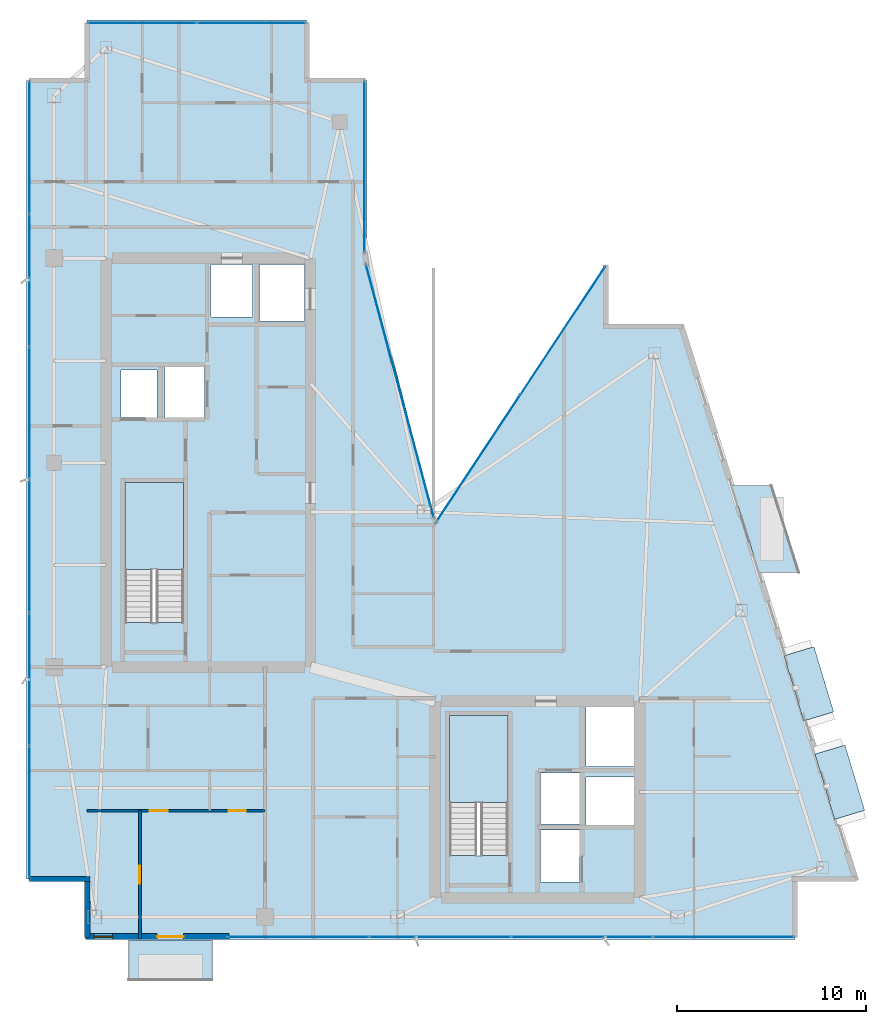
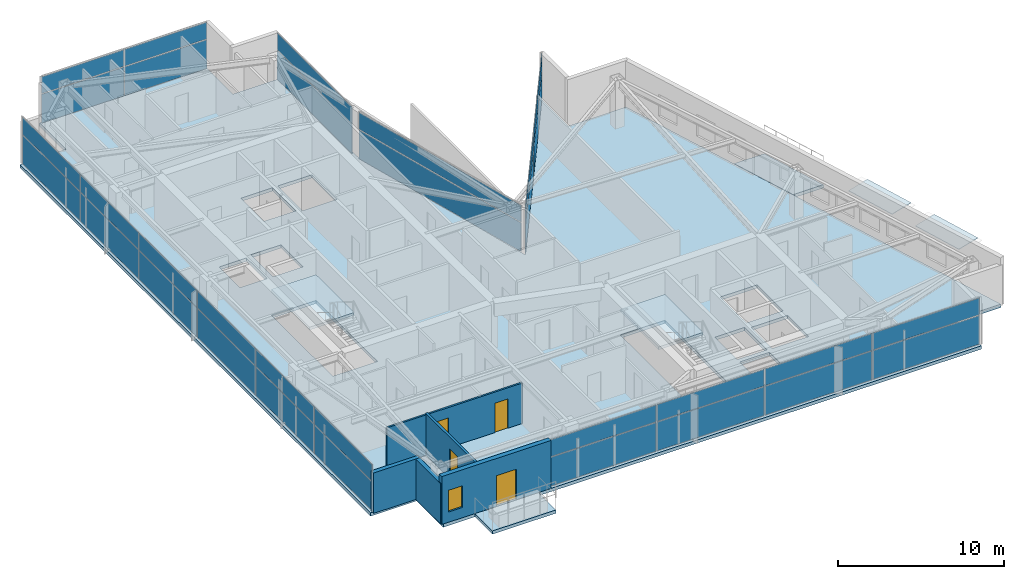
# One storey, part 21 of 27: 34 plates, 5 slabs, 5 walls, 4 doors, 1 window, 5 openings, 8 elements without a shape of their own.
"""IFC4 building model written with IfcOpenShell, lengths in metres."""

from ifc_helpers import new_model, si_unit, direction, frame, frame_2d, origin, origin_2d, place, context, subcontext, project, spatial, polyline, rectangle, outline, extrude, material, layer, layer_set, type_object, element, fill, aggregate, save


model = new_model("IFC4")

# Units and contexts
model_context = context("Model", 3, precision=1e-05, world=origin(), true_north=direction((0.0, 1.0)))
body_context = subcontext(model_context, "Body", "Model", "MODEL_VIEW")
ifc_project = project(units=[si_unit("LENGTHUNIT", "METRE"), si_unit("AREAUNIT", "SQUARE_METRE"), si_unit("VOLUMEUNIT", "CUBIC_METRE"), si_unit("PLANEANGLEUNIT", "RADIAN"), si_unit("MASSUNIT", "GRAM", prefix="KILO")], contexts=[model_context])

# Site, building, storey
site_placement = place(None, origin())
site = spatial("IfcSite", under=ifc_project, at=site_placement, CompositionType="ELEMENT")
building_placement = place(site_placement, origin())
building = spatial("IfcBuilding", under=site, at=building_placement, Name="Calvorn Quay Hotel", CompositionType="ELEMENT")
storey_placement = place(building_placement, frame((0.0, 0.0, 278.699951171875)))
storey = spatial("IfcBuildingStorey", under=building, at=storey_placement, Name="L69", CompositionType="ELEMENT", Elevation=278.699951171875)

# Curtain wall, plates
ifc_material_1 = material(Name="Champagne Bronze Anodised Aluminium and Low-E Glass", Category="aluminium")
ifc_layer_1 = layer(ifc_material_1, 0.219970703125)
ifc_layer_set_1 = layer_set([ifc_layer_1], Name="CW-SYS-Z4")
curtain_wall_type = type_object("IfcCurtainWallType", Name="CW-SYS-Z4", PredefinedType="NOTDEFINED", material=ifc_layer_set_1)
curtain_wall_1_placement = place(storey_placement, origin())
curtain_wall_1 = element("IfcCurtainWall", 1, at=curtain_wall_1_placement, inside=storey, type_object=curtain_wall_type, Name="Tower West Curtain Wall (L69)", PredefinedType="NOTDEFINED")
ifc_material_2 = material(Name="Low-E Laminated Double Glazing", Category="glass")
ifc_layer_2 = layer(ifc_material_2, 0.028076171875)
ifc_layer_set_2 = layer_set([ifc_layer_2], Name="CW-SYS-Z4-PAN")
plate_type_1 = type_object("IfcPlateType", Name="CW-SYS-Z4-PAN", PredefinedType="CURTAIN_PANEL", material=ifc_layer_set_2)
plate_1_placement = place(storey_placement, frame((0.14990234375, 9.131591796875, 0.06005859375), z_axis=(0.0, 0.0, 1.0), x_axis=(0.0, 1.0, 0.0)))
plate_1 = element("IfcPlate", 2, at=plate_1_placement, type_object=plate_type_1, Name="CW-L69-W panel 1.1", PredefinedType="CURTAIN_PANEL", context=body_context, shape_type="SweptSolid", body=[
    extrude(rectangle(XDim=6.943359375, YDim=0.028076171875, at=origin_2d()), origin(), (0.0, 0.0, 1.0), 2.110107421875),
])
plate_2_placement = place(storey_placement, frame((0.14990234375, 9.131591796875, 2.22998046875), z_axis=(0.0, 0.0, 1.0), x_axis=(0.0, 1.0, 0.0)))
plate_2 = element("IfcPlate", 3, at=plate_2_placement, type_object=plate_type_1, Name="CW-L69-W panel 1.2", PredefinedType="CURTAIN_PANEL", context=body_context, shape_type="SweptSolid", body=[
    extrude(rectangle(XDim=6.943359375, YDim=0.028076171875, at=origin_2d()), origin(), (0.0, 0.0, 1.0), 1.22998046875),
])
plate_3_placement = place(storey_placement, frame((0.14990234375, 16.14990234375, 0.06005859375), z_axis=(0.0, 0.0, 1.0), x_axis=(0.0, 1.0, 0.0)))
plate_3 = element("IfcPlate", 4, at=plate_3_placement, type_object=plate_type_1, Name="CW-L69-W panel 2.1", PredefinedType="CURTAIN_PANEL", context=body_context, shape_type="SweptSolid", body=[
    extrude(rectangle(XDim=6.973388671875, YDim=0.028076171875, at=origin_2d()), origin(), (0.0, 0.0, 1.0), 2.110107421875),
])
plate_4_placement = place(storey_placement, frame((0.14990234375, 16.14990234375, 2.22998046875), z_axis=(0.0, 0.0, 1.0), x_axis=(0.0, 1.0, 0.0)))
plate_4 = element("IfcPlate", 5, at=plate_4_placement, type_object=plate_type_1, Name="CW-L69-W panel 2.2", PredefinedType="CURTAIN_PANEL", context=body_context, shape_type="SweptSolid", body=[
    extrude(rectangle(XDim=6.973388671875, YDim=0.028076171875, at=origin_2d()), origin(), (0.0, 0.0, 1.0), 1.22998046875),
])
plate_5_placement = place(storey_placement, frame((0.14990234375, 23.183349609375, 0.06005859375), z_axis=(0.0, 0.0, 1.0), x_axis=(0.0, 1.0, 0.0)))
plate_5 = element("IfcPlate", 6, at=plate_5_placement, type_object=plate_type_1, Name="CW-L69-W panel 3.1", PredefinedType="CURTAIN_PANEL", context=body_context, shape_type="SweptSolid", body=[
    extrude(rectangle(XDim=6.973388671875, YDim=0.028076171875, at=origin_2d()), origin(), (0.0, 0.0, 1.0), 2.110107421875),
])
plate_6_placement = place(storey_placement, frame((0.14990234375, 23.183349609375, 2.22998046875), z_axis=(0.0, 0.0, 1.0), x_axis=(0.0, 1.0, 0.0)))
plate_6 = element("IfcPlate", 7, at=plate_6_placement, type_object=plate_type_1, Name="CW-L69-W panel 3.2", PredefinedType="CURTAIN_PANEL", context=body_context, shape_type="SweptSolid", body=[
    extrude(rectangle(XDim=6.973388671875, YDim=0.028076171875, at=origin_2d()), origin(), (0.0, 0.0, 1.0), 1.22998046875),
])
plate_7_placement = place(storey_placement, frame((0.14990234375, 30.216552734375, 0.06005859375), z_axis=(0.0, 0.0, 1.0), x_axis=(0.0, 1.0, 0.0)))
plate_7 = element("IfcPlate", 8, at=plate_7_placement, type_object=plate_type_1, Name="CW-L69-W panel 4.1", PredefinedType="CURTAIN_PANEL", context=body_context, shape_type="SweptSolid", body=[
    extrude(rectangle(XDim=6.973388671875, YDim=0.028076171875, at=origin_2d()), origin(), (0.0, 0.0, 1.0), 2.110107421875),
])
plate_8_placement = place(storey_placement, frame((0.14990234375, 30.216552734375, 2.22998046875), z_axis=(0.0, 0.0, 1.0), x_axis=(0.0, 1.0, 0.0)))
plate_8 = element("IfcPlate", 9, at=plate_8_placement, type_object=plate_type_1, Name="CW-L69-W panel 4.2", PredefinedType="CURTAIN_PANEL", context=body_context, shape_type="SweptSolid", body=[
    extrude(rectangle(XDim=6.973388671875, YDim=0.028076171875, at=origin_2d()), origin(), (0.0, 0.0, 1.0), 1.22998046875),
])
plate_9_placement = place(storey_placement, frame((0.14990234375, 37.25, 0.06005859375), z_axis=(0.0, 0.0, 1.0), x_axis=(0.0, 1.0, 0.0)))
plate_9 = element("IfcPlate", 10, at=plate_9_placement, type_object=plate_type_1, Name="CW-L69-W panel 5.1", PredefinedType="CURTAIN_PANEL", context=body_context, shape_type="SweptSolid", body=[
    extrude(rectangle(XDim=6.973388671875, YDim=0.028076171875, at=origin_2d()), origin(), (0.0, 0.0, 1.0), 2.110107421875),
])
plate_10_placement = place(storey_placement, frame((0.14990234375, 37.25, 2.22998046875), z_axis=(0.0, 0.0, 1.0), x_axis=(0.0, 1.0, 0.0)))
plate_10 = element("IfcPlate", 11, at=plate_10_placement, type_object=plate_type_1, Name="CW-L69-W panel 5.2", PredefinedType="CURTAIN_PANEL", context=body_context, shape_type="SweptSolid", body=[
    extrude(rectangle(XDim=6.973388671875, YDim=0.028076171875, at=origin_2d()), origin(), (0.0, 0.0, 1.0), 1.22998046875),
])
plate_11_placement = place(storey_placement, frame((0.14990234375, 44.268310546875, 0.06005859375), z_axis=(0.0, 0.0, 1.0), x_axis=(0.0, 1.0, 0.0)))
plate_11 = element("IfcPlate", 12, at=plate_11_placement, type_object=plate_type_1, Name="CW-L69-W panel 6.1", PredefinedType="CURTAIN_PANEL", context=body_context, shape_type="SweptSolid", body=[
    extrude(rectangle(XDim=6.943359375, YDim=0.028076171875, at=origin_2d()), origin(), (0.0, 0.0, 1.0), 2.110107421875),
])
plate_12_placement = place(storey_placement, frame((0.14990234375, 44.268310546875, 2.22998046875), z_axis=(0.0, 0.0, 1.0), x_axis=(0.0, 1.0, 0.0)))
plate_12 = element("IfcPlate", 13, at=plate_12_placement, type_object=plate_type_1, Name="CW-L69-W panel 6.2", PredefinedType="CURTAIN_PANEL", context=body_context, shape_type="SweptSolid", body=[
    extrude(rectangle(XDim=6.943359375, YDim=0.028076171875, at=origin_2d()), origin(), (0.0, 0.0, 1.0), 1.22998046875),
])
aggregate(curtain_wall_1, [plate_1, plate_2, plate_3, plate_4, plate_5, plate_6, plate_7, plate_8, plate_9, plate_10, plate_11, plate_12])

curtain_wall_2_placement = place(storey_placement, origin())
curtain_wall_2 = element("IfcCurtainWall", 14, at=curtain_wall_2_placement, inside=storey, type_object=curtain_wall_type, Name="Tower South Waterfront Curtain Wall (L69)", PredefinedType="NOTDEFINED")
plate_13_placement = place(storey_placement, frame((14.364990234375, 2.550048828125, 0.06005859375), z_axis=(0.0, 0.0, 1.0), x_axis=(1.0, 0.0, 0.0)))
plate_13 = element("IfcPlate", 15, at=plate_13_placement, type_object=plate_type_1, Name="CW-L69-S panel 1.1", PredefinedType="CURTAIN_PANEL", context=body_context, shape_type="SweptSolid", body=[
    extrude(rectangle(XDim=7.409912109375, YDim=0.028076171875, at=origin_2d()), origin(), (0.0, 0.0, 1.0), 2.110107421875),
])
plate_14_placement = place(storey_placement, frame((14.364990234375, 2.550048828125, 2.22998046875), z_axis=(0.0, 0.0, 1.0), x_axis=(1.0, 0.0, 0.0)))
plate_14 = element("IfcPlate", 16, at=plate_14_placement, type_object=plate_type_1, Name="CW-L69-S panel 1.2", PredefinedType="CURTAIN_PANEL", context=body_context, shape_type="SweptSolid", body=[
    extrude(rectangle(XDim=7.409912109375, YDim=0.028076171875, at=origin_2d()), origin(), (0.0, 0.0, 1.0), 1.22998046875),
])
plate_15_placement = place(storey_placement, frame((21.85009765625, 2.550048828125, 0.06005859375), z_axis=(0.0, 0.0, 1.0), x_axis=(1.0, 0.0, 0.0)))
plate_15 = element("IfcPlate", 17, at=plate_15_placement, type_object=plate_type_1, Name="CW-L69-S panel 2.1", PredefinedType="CURTAIN_PANEL", context=body_context, shape_type="SweptSolid", body=[
    extrude(rectangle(XDim=7.43994140625, YDim=0.028076171875, at=origin_2d()), origin(), (0.0, 0.0, 1.0), 2.110107421875),
])
plate_16_placement = place(storey_placement, frame((21.85009765625, 2.550048828125, 2.22998046875), z_axis=(0.0, 0.0, 1.0), x_axis=(1.0, 0.0, 0.0)))
plate_16 = element("IfcPlate", 18, at=plate_16_placement, type_object=plate_type_1, Name="CW-L69-S panel 2.2", PredefinedType="CURTAIN_PANEL", context=body_context, shape_type="SweptSolid", body=[
    extrude(rectangle(XDim=7.43994140625, YDim=0.028076171875, at=origin_2d()), origin(), (0.0, 0.0, 1.0), 1.22998046875),
])
plate_17_placement = place(storey_placement, frame((29.35009765625, 2.550048828125, 0.06005859375), z_axis=(0.0, 0.0, 1.0), x_axis=(1.0, 0.0, 0.0)))
plate_17 = element("IfcPlate", 19, at=plate_17_placement, type_object=plate_type_1, Name="CW-L69-S panel 3.1", PredefinedType="CURTAIN_PANEL", context=body_context, shape_type="SweptSolid", body=[
    extrude(rectangle(XDim=7.43994140625, YDim=0.028076171875, at=origin_2d()), origin(), (0.0, 0.0, 1.0), 2.110107421875),
])
plate_18_placement = place(storey_placement, frame((29.35009765625, 2.550048828125, 2.22998046875), z_axis=(0.0, 0.0, 1.0), x_axis=(1.0, 0.0, 0.0)))
plate_18 = element("IfcPlate", 20, at=plate_18_placement, type_object=plate_type_1, Name="CW-L69-S panel 3.2", PredefinedType="CURTAIN_PANEL", context=body_context, shape_type="SweptSolid", body=[
    extrude(rectangle(XDim=7.43994140625, YDim=0.028076171875, at=origin_2d()), origin(), (0.0, 0.0, 1.0), 1.22998046875),
])
plate_19_placement = place(storey_placement, frame((36.8349609375, 2.550048828125, 0.06005859375), z_axis=(0.0, 0.0, 1.0), x_axis=(1.0, 0.0, 0.0)))
plate_19 = element("IfcPlate", 21, at=plate_19_placement, type_object=plate_type_1, Name="CW-L69-S panel 4.1", PredefinedType="CURTAIN_PANEL", context=body_context, shape_type="SweptSolid", body=[
    extrude(rectangle(XDim=7.409912109375, YDim=0.028076171875, at=origin_2d()), origin(), (0.0, 0.0, 1.0), 2.110107421875),
])
plate_20_placement = place(storey_placement, frame((36.8349609375, 2.550048828125, 2.22998046875), z_axis=(0.0, 0.0, 1.0), x_axis=(1.0, 0.0, 0.0)))
plate_20 = element("IfcPlate", 22, at=plate_20_placement, type_object=plate_type_1, Name="CW-L69-S panel 4.2", PredefinedType="CURTAIN_PANEL", context=body_context, shape_type="SweptSolid", body=[
    extrude(rectangle(XDim=7.409912109375, YDim=0.028076171875, at=origin_2d()), origin(), (0.0, 0.0, 1.0), 1.22998046875),
])
aggregate(curtain_wall_2, [plate_13, plate_14, plate_15, plate_16, plate_17, plate_18, plate_19, plate_20])

curtain_wall_3_placement = place(storey_placement, origin())
curtain_wall_3 = element("IfcCurtainWall", 23, at=curtain_wall_3_placement, inside=storey, type_object=curtain_wall_type, Name="Inner Court Curtain Wall L69-NE1", PredefinedType="NOTDEFINED")
plate_21_placement = place(storey_placement, frame((28.341796875, 34.58740234375, 0.06005859375), z_axis=(0.0, 0.0, 1.0), x_axis=(-0.551866900852, -0.833932205724, 0.0)))
plate_21 = element("IfcPlate", 24, at=plate_21_placement, type_object=plate_type_1, Name="CW-L69-NE1 panel 1.1", PredefinedType="CURTAIN_PANEL", context=body_context, shape_type="SweptSolid", body=[
    extrude(rectangle(XDim=8.064208984375, YDim=0.028076171875, at=origin_2d()), origin(), (0.0, 0.0, 1.0), 2.110107421875),
])
plate_22_placement = place(storey_placement, frame((28.341796875, 34.58740234375, 2.22998046875), z_axis=(0.0, 0.0, 1.0), x_axis=(-0.551866900852, -0.833932205724, 0.0)))
plate_22 = element("IfcPlate", 25, at=plate_22_placement, type_object=plate_type_1, Name="CW-L69-NE1 panel 1.2", PredefinedType="CURTAIN_PANEL", context=body_context, shape_type="SweptSolid", body=[
    extrude(rectangle(XDim=8.064208984375, YDim=0.028076171875, at=origin_2d()), origin(), (0.0, 0.0, 1.0), 1.22998046875),
])
plate_23_placement = place(storey_placement, frame((23.8583984375, 27.8125, 0.06005859375), z_axis=(0.0, 0.0, 1.0), x_axis=(-0.551866900852, -0.833932205724, 0.0)))
plate_23 = element("IfcPlate", 26, at=plate_23_placement, type_object=plate_type_1, Name="CW-L69-NE1 panel 2.1", PredefinedType="CURTAIN_PANEL", context=body_context, shape_type="SweptSolid", body=[
    extrude(rectangle(XDim=8.064208984375, YDim=0.028076171875, at=origin_2d()), origin(), (0.0, 0.0, 1.0), 2.110107421875),
])
plate_24_placement = place(storey_placement, frame((23.8583984375, 27.8125, 2.22998046875), z_axis=(0.0, 0.0, 1.0), x_axis=(-0.551866900852, -0.833932205724, 0.0)))
plate_24 = element("IfcPlate", 27, at=plate_24_placement, type_object=plate_type_1, Name="CW-L69-NE1 panel 2.2", PredefinedType="CURTAIN_PANEL", context=body_context, shape_type="SweptSolid", body=[
    extrude(rectangle(XDim=8.064208984375, YDim=0.028076171875, at=origin_2d()), origin(), (0.0, 0.0, 1.0), 1.22998046875),
])
aggregate(curtain_wall_3, [plate_21, plate_22, plate_23, plate_24])

curtain_wall_4_placement = place(storey_placement, origin())
curtain_wall_4 = element("IfcCurtainWall", 28, at=curtain_wall_4_placement, inside=storey, type_object=curtain_wall_type, Name="Inner Court Curtain Wall L69-IC1", PredefinedType="NOTDEFINED")
plate_25_placement = place(storey_placement, frame((19.72509765625, 31.39990234375, 0.06005859375), z_axis=(0.0, 0.0, 1.0), x_axis=(-0.25877913024, 0.96593652056, 0.0)))
plate_25 = element("IfcPlate", 29, at=plate_25_placement, type_object=plate_type_1, Name="CW-L69-IC1 panel 1.1", PredefinedType="CURTAIN_PANEL", context=body_context, shape_type="SweptSolid", body=[
    extrude(rectangle(XDim=13.814697265625, YDim=0.028076171875, at=origin_2d()), origin(), (0.0, 0.0, 1.0), 2.110107421875),
])
plate_26_placement = place(storey_placement, frame((19.72509765625, 31.39990234375, 2.22998046875), z_axis=(0.0, 0.0, 1.0), x_axis=(-0.25877913024, 0.96593652056, 0.0)))
plate_26 = element("IfcPlate", 30, at=plate_26_placement, type_object=plate_type_1, Name="CW-L69-IC1 panel 1.2", PredefinedType="CURTAIN_PANEL", context=body_context, shape_type="SweptSolid", body=[
    extrude(rectangle(XDim=13.814697265625, YDim=0.028076171875, at=origin_2d()), origin(), (0.0, 0.0, 1.0), 1.22998046875),
])
aggregate(curtain_wall_4, [plate_25, plate_26])

curtain_wall_5_placement = place(storey_placement, origin())
curtain_wall_5 = element("IfcCurtainWall", 31, at=curtain_wall_5_placement, inside=storey, type_object=curtain_wall_type, Name="Inner Court Curtain Wall L69-IC2", PredefinedType="NOTDEFINED")
plate_27_placement = place(storey_placement, frame((17.85009765625, 43.239990234375, 0.06005859375), z_axis=(0.0, 0.0, 1.0), x_axis=(0.0, 1.0, 0.0)))
plate_27 = element("IfcPlate", 32, at=plate_27_placement, type_object=plate_type_1, Name="CW-L69-IC2 panel 1.1", PredefinedType="CURTAIN_PANEL", context=body_context, shape_type="SweptSolid", body=[
    extrude(rectangle(XDim=9.0, YDim=0.028076171875, at=origin_2d()), origin(), (0.0, 0.0, 1.0), 2.110107421875),
])
plate_28_placement = place(storey_placement, frame((17.85009765625, 43.239990234375, 2.22998046875), z_axis=(0.0, 0.0, 1.0), x_axis=(0.0, 1.0, 0.0)))
plate_28 = element("IfcPlate", 33, at=plate_28_placement, type_object=plate_type_1, Name="CW-L69-IC2 panel 1.2", PredefinedType="CURTAIN_PANEL", context=body_context, shape_type="SweptSolid", body=[
    extrude(rectangle(XDim=9.0, YDim=0.028076171875, at=origin_2d()), origin(), (0.0, 0.0, 1.0), 1.22998046875),
])
aggregate(curtain_wall_5, [plate_27, plate_28])

curtain_wall_6_placement = place(storey_placement, origin())
curtain_wall_6 = element("IfcCurtainWall", 34, at=curtain_wall_6_placement, inside=storey, type_object=curtain_wall_type, Name="Inner Court Curtain Wall L69-N1", PredefinedType="NOTDEFINED")
plate_29_placement = place(storey_placement, frame((11.885009765625, 50.85009765625, 0.06005859375), z_axis=(0.0, 0.0, 1.0), x_axis=(-1.0, 0.0, 0.0)))
plate_29 = element("IfcPlate", 35, at=plate_29_placement, type_object=plate_type_1, Name="CW-L69-N1 panel 1.1", PredefinedType="CURTAIN_PANEL", context=body_context, shape_type="SweptSolid", body=[
    extrude(rectangle(XDim=5.7099609375, YDim=0.028076171875, at=origin_2d()), origin(), (0.0, 0.0, 1.0), 2.110107421875),
])
plate_30_placement = place(storey_placement, frame((11.885009765625, 50.85009765625, 2.22998046875), z_axis=(0.0, 0.0, 1.0), x_axis=(-1.0, 0.0, 0.0)))
plate_30 = element("IfcPlate", 36, at=plate_30_placement, type_object=plate_type_1, Name="CW-L69-N1 panel 1.2", PredefinedType="CURTAIN_PANEL", context=body_context, shape_type="SweptSolid", body=[
    extrude(rectangle(XDim=5.7099609375, YDim=0.028076171875, at=origin_2d()), origin(), (0.0, 0.0, 1.0), 1.22998046875),
])
plate_31_placement = place(storey_placement, frame((6.114990234375, 50.85009765625, 0.06005859375), z_axis=(0.0, 0.0, 1.0), x_axis=(-1.0, 0.0, 0.0)))
plate_31 = element("IfcPlate", 37, at=plate_31_placement, type_object=plate_type_1, Name="CW-L69-N1 panel 2.1", PredefinedType="CURTAIN_PANEL", context=body_context, shape_type="SweptSolid", body=[
    extrude(rectangle(XDim=5.7099609375, YDim=0.028076171875, at=origin_2d()), origin(), (0.0, 0.0, 1.0), 2.110107421875),
])
plate_32_placement = place(storey_placement, frame((6.114990234375, 50.85009765625, 2.22998046875), z_axis=(0.0, 0.0, 1.0), x_axis=(-1.0, 0.0, 0.0)))
plate_32 = element("IfcPlate", 38, at=plate_32_placement, type_object=plate_type_1, Name="CW-L69-N1 panel 2.2", PredefinedType="CURTAIN_PANEL", context=body_context, shape_type="SweptSolid", body=[
    extrude(rectangle(XDim=5.7099609375, YDim=0.028076171875, at=origin_2d()), origin(), (0.0, 0.0, 1.0), 1.22998046875),
])
aggregate(curtain_wall_6, [plate_29, plate_30, plate_31, plate_32])

# Plates
ifc_material_3 = material(Name="Tempered Laminated Low-E Glass", Category="glass")
ifc_layer_3 = layer(ifc_material_3, 0.0380859375)
ifc_layer_set_3 = layer_set([ifc_layer_3], Name="PLT-HOOD-GLAZ")
plate_type_2 = type_object("IfcPlateType", Name="PLT-HOOD-GLAZ", PredefinedType="SHEET", material=ifc_layer_set_3)
for number, where, z_axis, x_axis, name in (
    (39, (42.97412109375, 10.718017578125, 2.467041015625), (0.0, 0.0, 1.0), (0.957319497532, 0.289031796944, 0.0), "Angled Glass Bay Hood Panel L69-HOOD-1"),
    (40, (41.3359375, 15.91796875, 2.467041015625), (0.0, 0.0, 1.0), (0.957319497532, 0.289031796944, 0.0), "Angled Glass Bay Hood Panel L69-HOOD-2"),
):
    element("IfcPlate", number, at=place(storey_placement, frame(where, z_axis=z_axis, x_axis=x_axis)), inside=storey, type_object=plate_type_2, Name=name, PredefinedType="SHEET", context=body_context, shape_type="SweptSolid", body=[
        extrude(rectangle(XDim=1.659912109375, YDim=3.60009765625, at=origin_2d()), origin(), (0.0, 0.0, 1.0), 0.0380859375),
    ])

# Slabs
ifc_material_4 = material(Name="Concrete C40", Category="concrete")
ifc_layer_4 = layer(ifc_material_4, 0.239990234375)
ifc_layer_set_4 = layer_set([ifc_layer_4], Name="SLB-BALCONY-220")
slab_type_1 = type_object("IfcSlabType", Name="SLB-BALCONY-220", PredefinedType="FLOOR", material=ifc_layer_set_4)
slab_1_placement = place(storey_placement, frame((0.0, 0.0, -0.239990234375)))
element("IfcSlab", 41, at=slab_1_placement, inside=storey, type_object=slab_type_1, Name="Tree Balcony Slab L69-BALC-E", PredefinedType="FLOOR", context=body_context, shape_type="SweptSolid", body=[
    extrude(outline(polyline([(38.7060546875, 21.800048828125), (40.805908203125, 21.800048828125), (39.35693359375, 26.39990234375), (37.257080078125, 26.39990234375), (38.7060546875, 21.800048828125)])), origin(), (0.0, 0.0, 1.0), 0.239990234375),
])
slab_2_placement = place(storey_placement, frame((0.0, 0.0, -0.239990234375)))
element("IfcSlab", 42, at=slab_2_placement, inside=storey, type_object=slab_type_1, Name="Tree Balcony Slab L69-BALC-S", PredefinedType="FLOOR", context=body_context, shape_type="SweptSolid", body=[
    extrude(outline(polyline([(5.39990234375, 0.2900390625), (9.800048828125, 0.2900390625), (9.800048828125, 2.389892578125), (5.39990234375, 2.389892578125), (5.39990234375, 0.2900390625)])), origin(), (0.0, 0.0, 1.0), 0.239990234375),
])

# Stair, slab
ifc_material_5 = material(Name="Concrete C40", Category="concrete")
stair_type = type_object("IfcStairType", Name="STR-CORE-DOGLEG", PredefinedType="HALF_TURN_STAIR", material=ifc_material_5)
stair_1_placement = place(storey_placement, origin())
stair_1 = element("IfcStair", 43, at=stair_1_placement, inside=storey, type_object=stair_type, Name="L69 ST-W", PredefinedType="HALF_TURN_STAIR")
ifc_material_6 = material(Name="Concrete C40", Category="concrete")
ifc_layer_5 = layer(ifc_material_6, 0.199951171875)
ifc_layer_set_5 = layer_set([ifc_layer_5], Name="SLB-STAIR-LANDING-200")
slab_type_2 = type_object("IfcSlabType", Name="SLB-STAIR-LANDING-200", PredefinedType="LANDING", material=ifc_layer_set_5)
slab_3_placement = place(storey_placement, frame((0.0, 0.0, 1.699951171875)))
slab_3 = element("IfcSlab", 44, at=slab_3_placement, type_object=slab_type_2, Name="ST-W landing 1", PredefinedType="LANDING", context=body_context, shape_type="SweptSolid", body=[
    extrude(outline(polyline([(8.300048828125, 21.949951171875), (8.300048828125, 26.550048828125), (5.199951171875, 26.550048828125), (5.199951171875, 21.949951171875), (8.300048828125, 21.949951171875)])), origin(), (0.0, 0.0, 1.0), 0.2001953125),
])
aggregate(stair_1, [slab_3])

stair_2_placement = place(storey_placement, origin())
stair_2 = element("IfcStair", 45, at=stair_2_placement, inside=storey, type_object=stair_type, Name="L69 ST-E", PredefinedType="HALF_TURN_STAIR")
slab_4_placement = place(storey_placement, frame((0.0, 0.0, 1.699951171875)))
slab_4 = element("IfcSlab", 46, at=slab_4_placement, type_object=slab_type_2, Name="ST-E landing 1", PredefinedType="LANDING", context=body_context, shape_type="SweptSolid", body=[
    extrude(outline(polyline([(25.449951171875, 9.64990234375), (25.449951171875, 14.25), (22.35009765625, 14.25), (22.35009765625, 9.64990234375), (25.449951171875, 9.64990234375)])), origin(), (0.0, 0.0, 1.0), 0.2001953125),
])
aggregate(stair_2, [slab_4])

# Slab
ifc_material_7 = material(Name="Concrete C40", Category="concrete")
ifc_layer_6 = layer(ifc_material_7, 0.239990234375)
ifc_layer_set_6 = layer_set([ifc_layer_6], Name="SLB-TOWER-240")
slab_type_3 = type_object("IfcSlabType", Name="SLB-TOWER-240", PredefinedType="FLOOR", material=ifc_layer_set_6)
slab_5_placement = place(storey_placement, frame((0.0, 0.0, -0.239990234375)))
element("IfcSlab", 47, at=slab_5_placement, inside=storey, type_object=slab_type_3, Name="L69 Structural Floor Slab", PredefinedType="FLOOR", context=body_context, shape_type="SweptSolid", body=[
    extrude(outline(polyline([(0.0, 5.60009765625), (3.199951171875, 5.60009765625), (3.199951171875, 2.39990234375), (40.60009765625, 2.39990234375), (40.60009765625, 5.60009765625), (43.800048828125, 5.60009765625), (34.60009765625, 34.800048828125), (30.60009765625, 34.800048828125), (30.60009765625, 38.0), (21.60009765625, 24.39990234375), (18.0, 38.39990234375), (18.0, 47.800048828125), (14.800048828125, 47.800048828125), (14.800048828125, 51.0), (3.199951171875, 51.0), (3.199951171875, 47.800048828125), (0.0, 47.800048828125), (0.0, 5.60009765625)]), holes=[polyline([(5.199951171875, 19.156005859375), (8.300048828125, 19.156005859375), (8.300048828125, 26.550048828125), (5.199951171875, 26.550048828125), (5.199951171875, 19.156005859375)]), polyline([(22.35009765625, 6.85595703125), (25.449951171875, 6.85595703125), (25.449951171875, 14.25), (22.35009765625, 14.25), (22.35009765625, 6.85595703125)]), polyline([(5.0, 30.0), (6.89990234375, 30.0), (6.89990234375, 32.5), (5.0, 32.5), (5.0, 30.0)]), polyline([(7.300048828125, 30.0), (9.39990234375, 30.0), (9.39990234375, 32.64990234375), (7.300048828125, 32.64990234375), (7.300048828125, 30.0)]), polyline([(27.159912109375, 8.5), (29.2099609375, 8.5), (29.2099609375, 11.199951171875), (27.159912109375, 11.199951171875), (27.159912109375, 8.5)]), polyline([(27.159912109375, 5.449951171875), (29.2099609375, 5.449951171875), (29.2099609375, 8.199951171875), (27.159912109375, 8.199951171875), (27.159912109375, 5.449951171875)]), polyline([(12.300048828125, 35.10009765625), (14.68994140625, 35.10009765625), (14.68994140625, 38.090087890625), (12.300048828125, 38.090087890625), (12.300048828125, 35.10009765625)]), polyline([(9.75, 35.300048828125), (11.949951171875, 35.300048828125), (11.949951171875, 38.090087890625), (9.75, 38.090087890625), (9.75, 35.300048828125)]), polyline([(29.550048828125, 11.550048828125), (32.090087890625, 11.550048828125), (32.090087890625, 14.68994140625), (29.550048828125, 14.68994140625), (29.550048828125, 11.550048828125)]), polyline([(29.550048828125, 8.449951171875), (32.090087890625, 8.449951171875), (32.090087890625, 11.0), (29.550048828125, 11.0), (29.550048828125, 8.449951171875)])]), origin(), (0.0, 0.0, 1.0), 0.239990234375),
])

# Wall, openings, doors
ifc_material_8 = material(Name="Moisture-Resistant Tile-Backed Partition")
ifc_layer_7 = layer(ifc_material_8, 0.125)
ifc_layer_set_7 = layer_set([ifc_layer_7], Name="WL-ENSUITE-125")
wall_type_1 = type_object("IfcWallType", Name="WL-ENSUITE-125", PredefinedType="PARTITIONING", material=ifc_layer_set_7)
wall_1_placement = place(storey_placement, frame((3.199951171875, 9.219970703125, 0.0), z_axis=(0.0, 0.0, 1.0), x_axis=(1.0, 0.0, 0.0)))
wall_1 = element("IfcWall", 48, at=wall_1_placement, inside=storey, type_object=wall_type_1, Name="Partition Wall L69-WL-U01-BH", PredefinedType="PARTITIONING", context=body_context, shape_type="SweptSolid", body=[
    extrude(rectangle(XDim=9.400146484375, YDim=0.125, at=frame_2d((4.7001953125, 0.0))), origin(), (0.0, 0.0, 1.0), 2.969970703125),
])
opening_1_placement = place(wall_1_placement, frame((3.300048828125, 0.0, 0.0)))
opening_1 = element("IfcOpeningElement", 49, at=opening_1_placement, cuts=wall_1, Name="Opening D-L69-S01", PredefinedType="OPENING", context=body_context, shape_type="SweptSolid", body=[
    extrude(rectangle(XDim=0.9599609375, YDim=2.199951171875, at=frame_2d((0.47998046875, 1.10009765625))), frame((0.0, 0.072509765625, 0.0), z_axis=(0.0, -1.0, 0.0), x_axis=(1.0, 0.0, 0.0)), (0.0, 0.0, 1.0), 0.14501953125),
])
opening_2_placement = place(wall_1_placement, frame((7.489990234375, 0.0, 0.0)))
opening_2 = element("IfcOpeningElement", 50, at=opening_2_placement, cuts=wall_1, Name="Opening D-L69-E01", PredefinedType="OPENING", context=body_context, shape_type="SweptSolid", body=[
    extrude(rectangle(XDim=0.89990234375, YDim=2.14990234375, at=frame_2d((0.449951171875, 1.074951171875))), frame((0.0, 0.072509765625, 0.0), z_axis=(0.0, -1.0, 0.0), x_axis=(1.0, 0.0, 0.0)), (0.0, 0.0, 1.0), 0.14501953125),
])
ifc_material_9 = material(Name="Moisture-Sealed Timber En-Suite Door", Category="wood")
door_type_1 = type_object("IfcDoorType", Name="DR-ENSUITE-900", OperationType="NOTDEFINED", PredefinedType="DOOR", material=ifc_material_9)
door_1_placement = place(opening_2_placement, origin())
door_1 = element("IfcDoor", 51, at=door_1_placement, inside=storey, type_object=door_type_1, Name="En-Suite Door 01", OperationType="SINGLE_SWING_RIGHT", OverallHeight=2.14990234375, OverallWidth=0.89990234375, PredefinedType="DOOR", context=body_context, shape_type="SweptSolid", body=[
    extrude(rectangle(XDim=0.89990234375, YDim=2.14990234375, at=frame_2d((0.449951171875, 1.074951171875))), frame((0.0, 0.02490234375, 0.0), z_axis=(0.0, -1.0, 0.0), x_axis=(1.0, 0.0, 0.0)), (0.0, 0.0, 1.0), 0.050048828125),
])
fill(opening_2, door_1)
ifc_material_10 = material(Name="Solid Timber Internal Suite Door", Category="wood")
door_type_2 = type_object("IfcDoorType", Name="DR-SUITE-INT-960", OperationType="NOTDEFINED", PredefinedType="DOOR", material=ifc_material_10)
door_2_placement = place(opening_1_placement, origin())
door_2 = element("IfcDoor", 52, at=door_2_placement, inside=storey, type_object=door_type_2, Name="Harbour Tea Room Door 01", OperationType="SINGLE_SWING_LEFT", OverallHeight=2.199951171875, OverallWidth=0.9599609375, PredefinedType="DOOR", context=body_context, shape_type="SweptSolid", body=[
    extrude(rectangle(XDim=0.9599609375, YDim=2.199951171875, at=frame_2d((0.47998046875, 1.10009765625))), frame((0.0, 0.02490234375, 0.0), z_axis=(0.0, -1.0, 0.0), x_axis=(1.0, 0.0, 0.0)), (0.0, 0.0, 1.0), 0.050048828125),
])
fill(opening_1, door_2)

# Wall, openings, door, window
ifc_material_11 = material(Name="Concrete C40", Category="concrete")
ifc_layer_8 = layer(ifc_material_11, 0.320068359375)
ifc_layer_set_8 = layer_set([ifc_layer_8], Name="WL-EXT-SPANDREL-320")
wall_type_2 = type_object("IfcWallType", Name="WL-EXT-SPANDREL-320", PredefinedType="SOLIDWALL", material=ifc_layer_set_8)
wall_2_placement = place(storey_placement, frame((3.10009765625, 2.56005859375, 0.0), z_axis=(0.0, 0.0, 1.0), x_axis=(1.0, 0.0, 0.0)))
wall_2 = element("IfcWall", 53, at=wall_2_placement, inside=storey, type_object=wall_type_2, Name="South Balcony Exterior Wall (L69)", PredefinedType="SOLIDWALL", context=body_context, shape_type="SweptSolid", body=[
    extrude(rectangle(XDim=7.599853515625, YDim=0.320068359375, at=frame_2d((3.7998046875, 0.0))), origin(), (0.0, 0.0, 1.0), 3.52001953125),
])
opening_3_placement = place(wall_2_placement, frame((0.449951171875, 0.0, 0.75)))
opening_3 = element("IfcOpeningElement", 54, at=opening_3_placement, cuts=wall_2, Name="Opening WSB-L69-1", PredefinedType="OPENING", context=body_context, shape_type="SweptSolid", body=[
    extrude(rectangle(XDim=1.0, YDim=1.60009765625, at=frame_2d((0.5, 0.800048828125))), frame((0.0, 0.169921875, 0.0), z_axis=(0.0, -1.0, 0.0), x_axis=(1.0, 0.0, 0.0)), (0.0, 0.0, 1.0), 0.340087890625),
])
opening_4_placement = place(wall_2_placement, frame((3.800048828125, 0.0, 0.0)))
opening_4 = element("IfcOpeningElement", 55, at=opening_4_placement, cuts=wall_2, Name="Opening DB-L69-2", PredefinedType="OPENING", context=body_context, shape_type="SweptSolid", body=[
    extrude(rectangle(XDim=1.39990234375, YDim=2.25, at=frame_2d((0.699951171875, 1.125))), frame((0.0, 0.169921875, 0.0), z_axis=(0.0, -1.0, 0.0), x_axis=(1.0, 0.0, 0.0)), (0.0, 0.0, 1.0), 0.340087890625),
])
ifc_material_12 = material(Name="Typhoon-Rated Low-E Aluminium Terrace Door", Category="aluminium")
door_type_3 = type_object("IfcDoorType", Name="DR-BALCONY-GLZ-1400", OperationType="NOTDEFINED", PredefinedType="DOOR", material=ifc_material_12)
door_3_placement = place(opening_4_placement, origin())
door_3 = element("IfcDoor", 56, at=door_3_placement, inside=storey, type_object=door_type_3, Name="Tree Balcony Terrace Door L69-BALC-S", OperationType="SINGLE_SWING_LEFT", OverallHeight=2.25, OverallWidth=1.39990234375, PredefinedType="DOOR", context=body_context, shape_type="SweptSolid", body=[
    extrude(rectangle(XDim=1.39990234375, YDim=2.25, at=frame_2d((0.699951171875, 1.125))), frame((0.0, 0.02490234375, 0.0), z_axis=(0.0, -1.0, 0.0), x_axis=(1.0, 0.0, 0.0)), (0.0, 0.0, 1.0), 0.050048828125),
])
fill(opening_4, door_3)
ifc_material_13 = material(Name="Self-Closing Class B Side Fire Window")
window_type = type_object("IfcWindowType", Name="WIN-REFUGE-NARROW-1000x1600", PartitioningType="SINGLE_PANEL", PredefinedType="WINDOW", material=ifc_material_13)
window_placement = place(opening_3_placement, origin())
window = element("IfcWindow", 57, at=window_placement, inside=storey, type_object=window_type, Name="South Waterfront Side Window (L69)", OverallHeight=1.60009765625, OverallWidth=1.0, PartitioningType="SINGLE_PANEL", PredefinedType="WINDOW", context=body_context, shape_type="SweptSolid", body=[
    extrude(rectangle(XDim=1.0, YDim=1.60009765625, at=frame_2d((0.5, 0.800048828125))), frame((0.0, 0.030029296875, 0.0), z_axis=(0.0, -1.0, 0.0), x_axis=(1.0, 0.0, 0.0)), (0.0, 0.0, 1.0), 0.06005859375),
])
fill(opening_3, window)

# Walls
wall_3_placement = place(storey_placement, frame((0.1201171875, 5.60009765625, 0.0), z_axis=(0.0, 0.0, 1.0), x_axis=(1.0, 0.0, 0.0)))
element("IfcWall", 58, at=wall_3_placement, inside=storey, type_object=wall_type_2, Name="Notched Corner Spandrel L69-SW1", PredefinedType="SOLIDWALL", context=body_context, shape_type="SweptSolid", body=[
    extrude(rectangle(XDim=3.219970703125, YDim=0.280029296875, at=frame_2d((1.60986328125, 0.0))), origin(), (0.0, 0.0, 1.0), 2.969970703125),
])
wall_4_placement = place(storey_placement, frame((3.199951171875, 5.4599609375, 0.0), z_axis=(0.0, 0.0, 1.0), x_axis=(0.0, -1.0, 0.0)))
element("IfcWall", 59, at=wall_4_placement, inside=storey, type_object=wall_type_2, Name="Notched Corner Spandrel L69-SW2", PredefinedType="SOLIDWALL", context=body_context, shape_type="SweptSolid", body=[
    extrude(rectangle(XDim=2.93994140625, YDim=0.280029296875, at=frame_2d((1.469970703125, 0.0))), origin(), (0.0, 0.0, 1.0), 2.969970703125),
])

# Wall, opening, door
ifc_material_14 = material(Name="Double-Stud Acoustic Gypsum Partition")
ifc_layer_9 = layer(ifc_material_14, 0.159912109375)
ifc_layer_set_9 = layer_set([ifc_layer_9], Name="WL-INTERSUITE-160")
wall_type_3 = type_object("IfcWallType", Name="WL-INTERSUITE-160", PredefinedType="PARTITIONING", material=ifc_layer_set_9)
wall_5_placement = place(storey_placement, frame((5.97998046875, 2.43994140625, 0.0), z_axis=(0.0, 0.0, 1.0), x_axis=(0.0, 1.0, 0.0)))
wall_5 = element("IfcWall", 60, at=wall_5_placement, inside=storey, type_object=wall_type_3, Name="Partition Wall L69-WL-U01-MSP", PredefinedType="PARTITIONING", context=body_context, shape_type="SweptSolid", body=[
    extrude(rectangle(XDim=6.780029296875, YDim=0.159912109375, at=frame_2d((3.39013671875, 0.0))), origin(), (0.0, 0.0, 1.0), 3.070068359375),
])
opening_5_placement = place(wall_5_placement, frame((2.909912109375, 0.0, 0.0)))
opening_5 = element("IfcOpeningElement", 61, at=opening_5_placement, cuts=wall_5, Name="Opening D-L69-M01", PredefinedType="OPENING", context=body_context, shape_type="SweptSolid", body=[
    extrude(rectangle(XDim=0.9599609375, YDim=2.199951171875, at=frame_2d((0.47998046875, 1.10009765625))), frame((0.0, 0.08984375, 0.0), z_axis=(0.0, -1.0, 0.0), x_axis=(1.0, 0.0, 0.0)), (0.0, 0.0, 1.0), 0.179931640625),
])
door_4_placement = place(opening_5_placement, origin())
door_4 = element("IfcDoor", 62, at=door_4_placement, inside=storey, type_object=door_type_2, Name="Suite Bedroom Door 01", OperationType="SINGLE_SWING_LEFT", OverallHeight=2.199951171875, OverallWidth=0.9599609375, PredefinedType="DOOR", context=body_context, shape_type="SweptSolid", body=[
    extrude(rectangle(XDim=0.9599609375, YDim=2.199951171875, at=frame_2d((0.47998046875, 1.10009765625))), frame((0.0, 0.02490234375, 0.0), z_axis=(0.0, -1.0, 0.0), x_axis=(1.0, 0.0, 0.0)), (0.0, 0.0, 1.0), 0.050048828125),
])
fill(opening_5, door_4)

save(model, "model.ifc")
